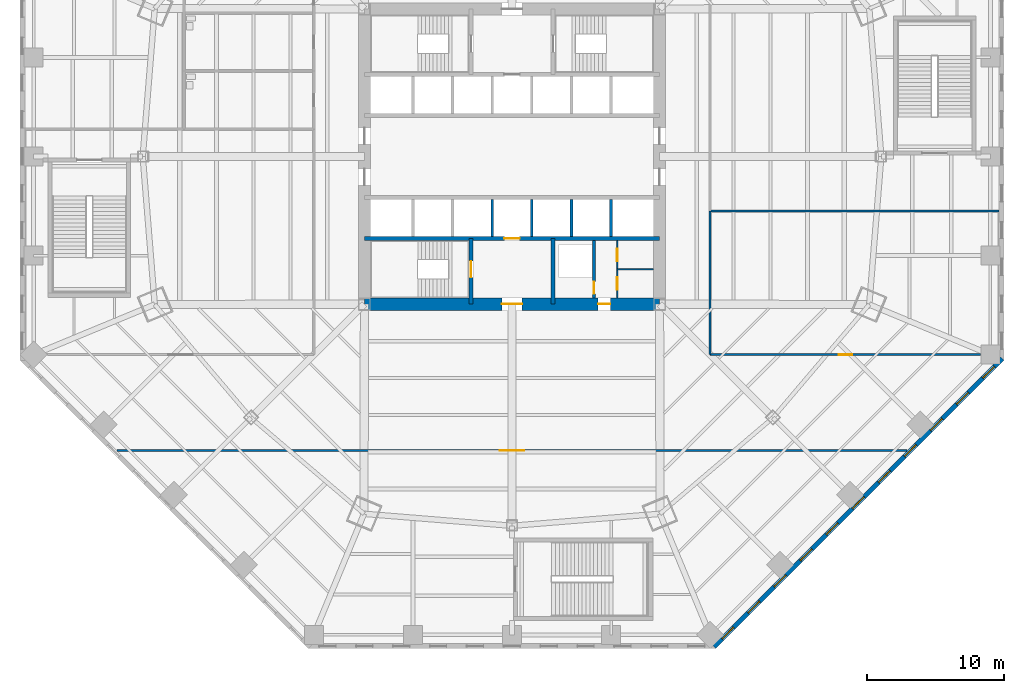
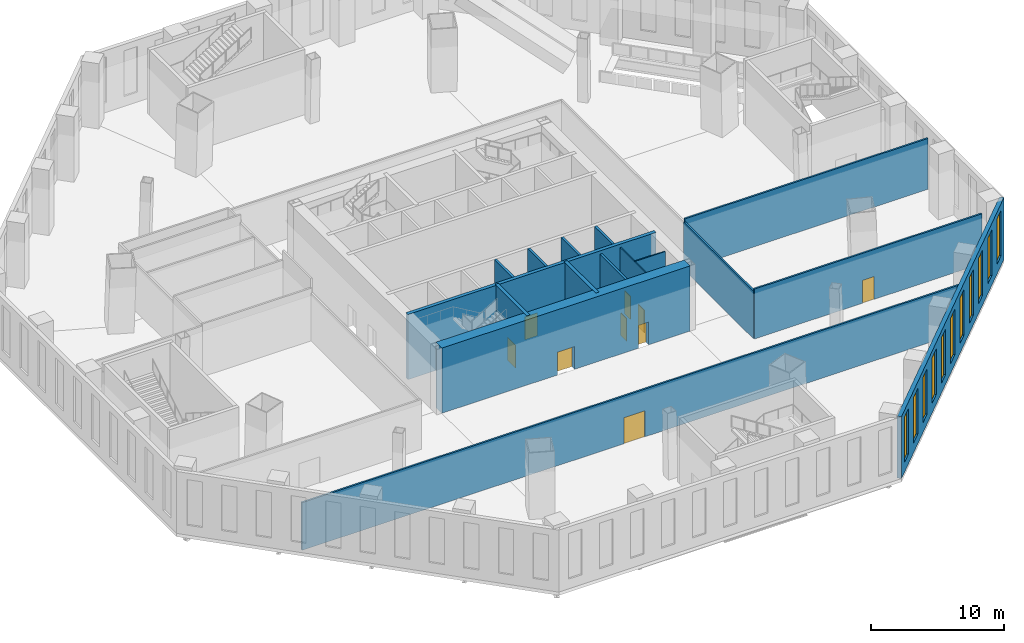
# One storey, part 9 of 20: 16 walls, 11 windows, 9 doors, 20 openings.
"""IFC4 building model written with IfcOpenShell, lengths in metres."""

import ifcopenshell
import ifcopenshell.guid

model = None  # the IFC model being written
_history = None  # IfcOwnerHistory: only IFC2X3 demands one
_inside = {}  # id of a spatial element -> (the spatial element, [elements in it])
_under = {}  # id of a project, library or spatial element -> (it, [spatial elements below it])
_declared = {}  # id of a project -> (the project, [libraries it declares])
_typed = {}  # id of a type object -> (the type object, [elements of that type])
_made_of = {}  # id of a material, layer set ... -> (it, [elements and type objects made of it])


def new_model(schema):
    """Start an empty IFC model of exactly this schema.

    Asked for "IFC4X3", IfcOpenShell would pick the latest addendum, in which some entities
    have other attributes; the version numbers below select the first issue.
    IFC2X3 requires an IfcOwnerHistory on every rooted entity: one is made here for all.
    """
    global model, _history
    if schema == "IFC4X3":
        model = ifcopenshell.file(schema_version=(4, 3, 0, 0))
    else:
        model = ifcopenshell.file(schema=schema)
    _inside.clear()
    _under.clear()
    _declared.clear()
    _typed.clear()
    _made_of.clear()
    _history = None
    if model.schema == "IFC2X3":
        org = make("IfcOrganization", Name="unknown")
        user = make(
            "IfcPersonAndOrganization",
            ThePerson=make("IfcPerson", FamilyName="unknown"),
            TheOrganization=org,
        )
        app = make(
            "IfcApplication",
            ApplicationDeveloper=org,
            Version="unknown",
            ApplicationFullName="unknown",
            ApplicationIdentifier="unknown",
        )
        _history = make(
            "IfcOwnerHistory",
            OwningUser=user,
            OwningApplication=app,
            ChangeAction="ADDED",
            CreationDate=0,
        )
    return model


def make(cls, **values):
    """One entity of the class cls with the attributes given. An attribute that is None is left unset."""
    return model.create_entity(
        cls, **{name: value for name, value in values.items() if value is not None}
    )


def rooted(cls, **values):
    """An entity with a GlobalId (a new one), such as an element, a storey or a relation."""
    return make(cls, GlobalId=ifcopenshell.guid.new(), OwnerHistory=_history, **values)


def si_unit(unit_type, name, prefix=None):
    """IfcSIUnit, for example si_unit("LENGTHUNIT", "METRE", prefix="MILLI")."""
    return make("IfcSIUnit", UnitType=unit_type, Prefix=prefix, Name=name)


def assignment(units):
    """IfcUnitAssignment: the units of a project."""
    return None if units is None else make("IfcUnitAssignment", Units=units)


def point(xyz):
    """IfcCartesianPoint."""
    return None if xyz is None else make("IfcCartesianPoint", Coordinates=xyz)


def direction(xyz):
    """IfcDirection."""
    return None if xyz is None else make("IfcDirection", DirectionRatios=xyz)


def frame(location, z_axis=None, x_axis=None):
    """IfcAxis2Placement3D, a coordinate frame: its origin and axes. An axis left out is left unset."""
    return make(
        "IfcAxis2Placement3D",
        Location=point(location),
        Axis=direction(z_axis),
        RefDirection=direction(x_axis),
    )


def frame_2d(location, x_axis=None):
    """IfcAxis2Placement2D, a coordinate frame in the plane: its origin and x axis."""
    return make(
        "IfcAxis2Placement2D", Location=point(location), RefDirection=direction(x_axis)
    )


def origin():
    """The frame at (0, 0, 0) with its axes left unset."""
    return frame((0.0, 0.0, 0.0))


def place(relative_to, where):
    """IfcLocalPlacement: puts the frame where relative to a parent placement (None: the world)."""
    return make(
        "IfcLocalPlacement", PlacementRelTo=relative_to, RelativePlacement=where
    )


def context(
    kind, dimensions, precision=None, world=None, true_north=None, identifier=None
):
    """IfcGeometricRepresentationContext, for example the 3D "Model" context."""
    return make(
        "IfcGeometricRepresentationContext",
        ContextIdentifier=identifier,
        ContextType=kind,
        CoordinateSpaceDimension=dimensions,
        Precision=precision,
        WorldCoordinateSystem=world,
        TrueNorth=true_north,
    )


def subcontext(parent, identifier, kind, view, scale=None):
    """IfcGeometricRepresentationSubContext, for example "Body" below "Model"."""
    return make(
        "IfcGeometricRepresentationSubContext",
        ContextIdentifier=identifier,
        ContextType=kind,
        ParentContext=parent,
        TargetScale=scale,
        TargetView=view,
    )


def project(units=None, contexts=None):
    """IfcProject with its units and contexts."""
    return rooted(
        "IfcProject",
        Name="project",
        RepresentationContexts=contexts,
        UnitsInContext=assignment(units),
    )


def spatial(cls, under=None, at=None, **own):
    """A site, building, storey or space (cls), placed at a placement, below another one or the project."""
    s = rooted(cls, ObjectPlacement=at, **own)
    if under is not None:
        _under.setdefault(under.id(), (under, []))[1].append(s)
    return s


def profile(cls, at=None, kind="AREA", **sizes):
    """A parametric profile (cls). Its sizes go by their IFC names, for example OverallWidth=200.0."""
    return make(cls, ProfileType=kind, Position=at, **sizes)


def rectangle(**sizes):
    """IfcRectangleProfileDef."""
    return profile("IfcRectangleProfileDef", **sizes)


def extrude(swept, where, along, depth):
    """IfcExtrudedAreaSolid: the profile swept, set in the frame where, extruded along a direction by depth."""
    return make(
        "IfcExtrudedAreaSolid",
        SweptArea=swept,
        Position=where,
        ExtrudedDirection=direction(along),
        Depth=depth,
    )


def shape(context_of_items, identifier, shape_type, items):
    """IfcShapeRepresentation: the items that make up one representation, for example the "Body"."""
    return make(
        "IfcShapeRepresentation",
        ContextOfItems=context_of_items,
        RepresentationIdentifier=identifier,
        RepresentationType=shape_type,
        Items=items,
    )


def material(Name=None, Category=None):
    """IfcMaterial."""
    return make("IfcMaterial", Name=Name, Category=Category)


def layer(
    of_material, thickness, ventilated=None, Name=None, Category=None, Priority=None
):
    """IfcMaterialLayer: one layer of a wall or slab, of a material (None: an air gap)."""
    return make(
        "IfcMaterialLayer",
        Material=of_material,
        LayerThickness=thickness,
        IsVentilated=ventilated,
        Name=Name,
        Category=Category,
        Priority=Priority,
    )


def layer_set(layers, Name=None):
    """IfcMaterialLayerSet."""
    return make("IfcMaterialLayerSet", MaterialLayers=layers, LayerSetName=Name)


def made_of(thing, what):
    """Note that an element or type object is made of a material, layer set ...; save() writes the relation."""
    if what is not None:
        _made_of.setdefault(what.id(), (what, []))[1].append(thing)
    return thing


def type_object(cls, material=None, **own):
    """A type object (cls), such as IfcWallType, which elements share."""
    return made_of(rooted(cls, **own), material)


def element(
    cls,
    number,
    at=None,
    inside=None,
    cuts=None,
    type_object=None,
    material=None,
    context=None,
    identifier="Body",
    shape_type=None,
    held_by="IfcProductDefinitionShape",
    body=None,
    shapes=None,
    **own,
):
    """One element of the class cls, such as IfcWall. Its Tag is "e" and its number.

    at: its placement. inside: the storey or other place that contains it. cuts: it is an
    opening in that element (IfcRelVoidsElement). A single representation is given by context,
    identifier, shape_type and body (its items); several are given by shapes. held_by: the class
    of the entity that holds the representations. save() writes the other relations.
    """
    e = rooted(cls, Tag="e%d" % number, ObjectPlacement=at, **own)
    if body is not None:
        shapes = [shape(context, identifier, shape_type, body)]
    if shapes is not None:
        e.Representation = make(held_by, Representations=shapes)
    if inside is not None:
        _inside.setdefault(inside.id(), (inside, []))[1].append(e)
    if cuts is not None:
        rooted(
            "IfcRelVoidsElement", RelatingBuildingElement=cuts, RelatedOpeningElement=e
        )
    if type_object is not None:
        _typed.setdefault(type_object.id(), (type_object, []))[1].append(e)
    return made_of(e, material)


def fill(opening, filler):
    """IfcRelFillsElement: the door or window that sits in an opening."""
    return rooted(
        "IfcRelFillsElement",
        RelatingOpeningElement=opening,
        RelatedBuildingElement=filler,
    )


def aggregate(whole, parts):
    """IfcRelAggregates: a whole, such as a stair, and the parts it consists of."""
    return rooted("IfcRelAggregates", RelatingObject=whole, RelatedObjects=parts)


def save(model, path):
    """Write the relations noted so far, then the file.

    IfcRelAggregates (storeys below a building ...), IfcRelContainedInSpatialStructure (elements
    in a storey), IfcRelDefinesByType, IfcRelAssociatesMaterial and IfcRelDeclares: one each for
    every whole, place, type object, material and project.
    """
    for whole, parts in _under.values():
        aggregate(whole, parts)
    for where, things in _inside.values():
        rooted(
            "IfcRelContainedInSpatialStructure",
            RelatedElements=things,
            RelatingStructure=where,
        )
    for kind, things in _typed.values():
        rooted("IfcRelDefinesByType", RelatedObjects=things, RelatingType=kind)
    for what, things in _made_of.values():
        rooted("IfcRelAssociatesMaterial", RelatedObjects=things, RelatingMaterial=what)
    for by, libraries in _declared.values():
        rooted("IfcRelDeclares", RelatingContext=by, RelatedDefinitions=libraries)
    model.write(path)


model = new_model("IFC4")

# Units and contexts
model_context = context("Model", 3, precision=1e-05, world=origin(), true_north=direction((0.0, 1.0)))
body_context = subcontext(model_context, "Body", "Model", "MODEL_VIEW")
ifc_project = project(units=[si_unit("LENGTHUNIT", "METRE"), si_unit("AREAUNIT", "SQUARE_METRE"), si_unit("VOLUMEUNIT", "CUBIC_METRE"), si_unit("PLANEANGLEUNIT", "RADIAN"), si_unit("MASSUNIT", "GRAM", prefix="KILO")], contexts=[model_context])

# Site, building, storey
site_placement = place(None, origin())
site = spatial("IfcSite", under=ifc_project, at=site_placement, CompositionType="ELEMENT")
building_placement = place(site_placement, origin())
building = spatial("IfcBuilding", under=site, at=building_placement, Name="Mashrafa Tower", CompositionType="ELEMENT")
storey_placement = place(building_placement, frame((0.0, 0.0, 7.199951171875)))
storey = spatial("IfcBuildingStorey", under=building, at=storey_placement, Name="L01", CompositionType="ELEMENT", Elevation=7.199951171875)

# Wall, opening, door
ifc_material_1 = material(Name="Concrete masonry unit", Category="masonry")
ifc_layer_1 = layer(ifc_material_1, 0.199951171875)
ifc_layer_set_1 = layer_set([ifc_layer_1], Name="Blockwork wall 200 2 hr")
wall_type_1 = type_object("IfcWallType", Name="Blockwork wall 200 2 hr", PredefinedType="PARTITIONING", material=ifc_layer_set_1)
wall_1_placement = place(storey_placement, frame((6.0, -10.35009765625, 0.0), z_axis=(0.0, 0.0, 1.0), x_axis=(0.0, 1.0, 0.0)))
wall_1 = element("IfcWall", 1, at=wall_1_placement, inside=storey, type_object=wall_type_1, Name="Riser enclosure wall L01", PredefinedType="PARTITIONING", context=body_context, shape_type="SweptSolid", body=[
    extrude(rectangle(XDim=4.2001953125, YDim=0.199951171875, at=frame_2d((2.10009765625, 0.0))), origin(), (0.0, 0.0, 1.0), 5.699951171875),
])
opening_1_placement = place(wall_1_placement, frame((0.300048828125, 0.0, 0.0)))
opening_1 = element("IfcOpeningElement", 2, at=opening_1_placement, cuts=wall_1, Name="Opening 01.021", PredefinedType="OPENING", context=body_context, shape_type="SweptSolid", body=[
    extrude(rectangle(XDim=0.89990234375, YDim=2.10009765625, at=frame_2d((0.449951171875, 1.050048828125))), frame((0.0, 0.10986328125, 0.0), z_axis=(0.0, -1.0, 0.0), x_axis=(1.0, 0.0, 0.0)), (0.0, 0.0, 1.0), 0.219970703125),
])
ifc_material_2 = material(Name="Steel door", Category="steel")
door_type_1 = type_object("IfcDoorType", Name="Service door 900 x 2100 90 min", OperationType="USERDEFINED", PredefinedType="DOOR", material=ifc_material_2)
door_1_placement = place(opening_1_placement, origin())
door_1 = element("IfcDoor", 3, at=door_1_placement, inside=storey, type_object=door_type_1, Name="Riser door L01", OperationType="SINGLE_SWING_LEFT", OverallHeight=2.10009765625, OverallWidth=0.89990234375, PredefinedType="DOOR", context=body_context, shape_type="SweptSolid", body=[
    extrude(rectangle(XDim=0.89990234375, YDim=2.10009765625, at=frame_2d((0.449951171875, 1.050048828125))), frame((0.0, 0.02490234375, 0.0), z_axis=(0.0, -1.0, 0.0), x_axis=(1.0, 0.0, 0.0)), (0.0, 0.0, 1.0), 0.050048828125),
])
fill(opening_1, door_1)

ifc_material_3 = material(Name="Concrete C60/75", Category="concrete")
ifc_layer_2 = layer(ifc_material_3, 0.300048828125)
ifc_layer_set_2 = layer_set([ifc_layer_2], Name="Core wall 300 C60/75")
wall_type_2 = type_object("IfcWallType", Name="Core wall 300 C60/75", PredefinedType="SOLIDWALL", material=ifc_layer_set_2)
wall_2_placement = place(storey_placement, frame((-10.800048828125, -6.0, 0.0), z_axis=(0.0, 0.0, 1.0), x_axis=(1.0, 0.0, 0.0)))
wall_2 = element("IfcWall", 4, at=wall_2_placement, inside=storey, type_object=wall_type_2, Name="Core wall CB-S L01", PredefinedType="SOLIDWALL", context=body_context, shape_type="SweptSolid", body=[
    extrude(rectangle(XDim=21.60009765625, YDim=0.300048828125, at=frame_2d((10.800048828125, 0.0))), origin(), (0.0, 0.0, 1.0), 6.0),
])
opening_2_placement = place(wall_2_placement, frame((10.25, 0.0, 0.0)))
opening_2 = element("IfcOpeningElement", 5, at=opening_2_placement, cuts=wall_2, Name="Opening 01.F2", PredefinedType="OPENING", context=body_context, shape_type="SweptSolid", body=[
    extrude(rectangle(XDim=1.10009765625, YDim=2.10009765625, at=frame_2d((0.550048828125, 1.050048828125))), frame((0.0, 0.159912109375, 0.0), z_axis=(0.0, -1.0, 0.0), x_axis=(1.0, 0.0, 0.0)), (0.0, 0.0, 1.0), 0.320068359375),
])
ifc_material_4 = material(Name="Steel door", Category="steel")
door_type_2 = type_object("IfcDoorType", Name="Lift landing door 1100 x 2100 90 min", OperationType="DOUBLE_DOOR_SLIDING", PredefinedType="DOOR", material=ifc_material_4)
door_2_placement = place(opening_2_placement, origin())
door_2 = element("IfcDoor", 6, at=door_2_placement, inside=storey, type_object=door_type_2, Name="Lift landing door F2 L01", OperationType="DOUBLE_DOOR_SLIDING", OverallHeight=2.10009765625, OverallWidth=1.10009765625, PredefinedType="DOOR", context=body_context, shape_type="SweptSolid", body=[
    extrude(rectangle(XDim=1.10009765625, YDim=2.10009765625, at=frame_2d((0.550048828125, 1.050048828125))), frame((0.0, 0.02490234375, 0.0), z_axis=(0.0, -1.0, 0.0), x_axis=(1.0, 0.0, 0.0)), (0.0, 0.0, 1.0), 0.050048828125),
])
fill(opening_2, door_2)

wall_3_placement = place(storey_placement, frame((-3.0, -6.0, 0.0), z_axis=(0.0, 0.0, 1.0), x_axis=(0.0, -1.0, 0.0)))
wall_3 = element("IfcWall", 7, at=wall_3_placement, inside=storey, type_object=wall_type_2, Name="Core wall CX-SW L01", PredefinedType="SOLIDWALL", context=body_context, shape_type="SweptSolid", body=[
    extrude(rectangle(XDim=4.800048828125, YDim=0.300048828125, at=frame_2d((2.39990234375, 0.0))), origin(), (0.0, 0.0, 1.0), 6.0),
])
opening_3_placement = place(wall_3_placement, frame((1.64990234375, 0.0, 0.0)))
opening_3 = element("IfcOpeningElement", 8, at=opening_3_placement, cuts=wall_3, Name="Opening 01.019", PredefinedType="OPENING", context=body_context, shape_type="SweptSolid", body=[
    extrude(rectangle(XDim=1.199951171875, YDim=2.10009765625, at=frame_2d((0.60009765625, 1.050048828125))), frame((0.0, 0.159912109375, 0.0), z_axis=(0.0, -1.0, 0.0), x_axis=(1.0, 0.0, 0.0)), (0.0, 0.0, 1.0), 0.320068359375),
])
ifc_material_5 = material(Name="Steel door", Category="steel")
door_type_3 = type_object("IfcDoorType", Name="Stair door 1200 x 2100 90 min", OperationType="USERDEFINED", PredefinedType="DOOR", material=ifc_material_5)
door_3_placement = place(opening_3_placement, frame((1.199951171875, 0.0, 0.0), z_axis=(0.0, 0.0, 1.0), x_axis=(-1.0, 0.0, 0.0)))
door_3 = element("IfcDoor", 9, at=door_3_placement, inside=storey, type_object=door_type_3, Name="Stair S3 door L01", OperationType="SINGLE_SWING_RIGHT", OverallHeight=2.10009765625, OverallWidth=1.199951171875, PredefinedType="DOOR", context=body_context, shape_type="SweptSolid", body=[
    extrude(rectangle(XDim=1.199951171875, YDim=2.10009765625, at=frame_2d((0.60009765625, 1.050048828125))), frame((0.0, 0.02490234375, 0.0), z_axis=(0.0, -1.0, 0.0), x_axis=(1.0, 0.0, 0.0)), (0.0, 0.0, 1.0), 0.050048828125),
])
fill(opening_3, door_3)

# Wall
wall_4_placement = place(storey_placement, frame((3.0, -6.0, 0.0), z_axis=(0.0, 0.0, 1.0), x_axis=(0.0, -1.0, 0.0)))
element("IfcWall", 10, at=wall_4_placement, inside=storey, type_object=wall_type_2, Name="Core wall CX-SE L01", PredefinedType="SOLIDWALL", context=body_context, shape_type="SweptSolid", body=[
    extrude(rectangle(XDim=4.800048828125, YDim=0.300048828125, at=frame_2d((2.39990234375, 0.0))), origin(), (0.0, 0.0, 1.0), 6.0),
])

# Wall, openings, doors
ifc_material_6 = material(Name="Concrete C60/75", Category="concrete")
ifc_layer_3 = layer(ifc_material_6, 0.89990234375)
ifc_layer_set_3 = layer_set([ifc_layer_3], Name="Core wall 900 C60/75")
wall_type_3 = type_object("IfcWallType", Name="Core wall 900 C60/75", PredefinedType="SOLIDWALL", material=ifc_layer_set_3)
wall_5_placement = place(storey_placement, frame((-10.800048828125, -10.800048828125, 0.0), z_axis=(0.0, 0.0, 1.0), x_axis=(1.0, 0.0, 0.0)))
wall_5 = element("IfcWall", 11, at=wall_5_placement, inside=storey, type_object=wall_type_3, Name="Core wall CW-S L01", PredefinedType="SOLIDWALL", context=body_context, shape_type="SweptSolid", body=[
    extrude(rectangle(XDim=21.60009765625, YDim=0.89990234375, at=frame_2d((10.800048828125, 0.0))), origin(), (0.0, 0.0, 1.0), 6.0),
])
opening_4_placement = place(wall_5_placement, frame((10.050048828125, 0.0, 0.0)))
opening_4 = element("IfcOpeningElement", 12, at=opening_4_placement, cuts=wall_5, Name="Opening 01.016", PredefinedType="OPENING", context=body_context, shape_type="SweptSolid", body=[
    extrude(rectangle(XDim=1.5, YDim=2.10009765625, at=frame_2d((0.75, 1.050048828125))), frame((0.0, 0.4599609375, 0.0), z_axis=(0.0, -1.0, 0.0), x_axis=(1.0, 0.0, 0.0)), (0.0, 0.0, 1.0), 0.919921875),
])
opening_5_placement = place(wall_5_placement, frame((17.10009765625, 0.0, 0.0)))
opening_5 = element("IfcOpeningElement", 13, at=opening_5_placement, cuts=wall_5, Name="Opening 01.020", PredefinedType="OPENING", context=body_context, shape_type="SweptSolid", body=[
    extrude(rectangle(XDim=0.89990234375, YDim=2.10009765625, at=frame_2d((0.449951171875, 1.050048828125))), frame((0.0, 0.4599609375, 0.0), z_axis=(0.0, -1.0, 0.0), x_axis=(1.0, 0.0, 0.0)), (0.0, 0.0, 1.0), 0.919921875),
])
ifc_material_7 = material(Name="Steel door", Category="steel")
door_type_4 = type_object("IfcDoorType", Name="Lobby door pair 1500 x 2100 90 min", OperationType="DOUBLE_DOOR_SINGLE_SWING", PredefinedType="DOOR", material=ifc_material_7)
door_4_placement = place(opening_4_placement, origin())
door_4 = element("IfcDoor", 14, at=door_4_placement, inside=storey, type_object=door_type_4, Name="Fire-fighting lobby F2 door L01", OperationType="DOUBLE_DOOR_SINGLE_SWING", OverallHeight=2.10009765625, OverallWidth=1.5, PredefinedType="DOOR", context=body_context, shape_type="SweptSolid", body=[
    extrude(rectangle(XDim=1.5, YDim=2.10009765625, at=frame_2d((0.75, 1.050048828125))), frame((0.0, 0.02490234375, 0.0), z_axis=(0.0, -1.0, 0.0), x_axis=(1.0, 0.0, 0.0)), (0.0, 0.0, 1.0), 0.050048828125),
])
fill(opening_4, door_4)
door_5_placement = place(opening_5_placement, frame((0.89990234375, 0.0, 0.0), z_axis=(0.0, 0.0, 1.0), x_axis=(-1.0, 0.0, 0.0)))
door_5 = element("IfcDoor", 15, at=door_5_placement, inside=storey, type_object=door_type_1, Name="Services Lobby L01 door", OperationType="SINGLE_SWING_LEFT", OverallHeight=2.10009765625, OverallWidth=0.89990234375, PredefinedType="DOOR", context=body_context, shape_type="SweptSolid", body=[
    extrude(rectangle(XDim=0.89990234375, YDim=2.10009765625, at=frame_2d((0.449951171875, 1.050048828125))), frame((0.0, 0.02490234375, 0.0), z_axis=(0.0, -1.0, 0.0), x_axis=(1.0, 0.0, 0.0)), (0.0, 0.0, 1.0), 0.050048828125),
])
fill(opening_5, door_5)

# Wall
ifc_material_8 = material(Name="Gypsum board on steel studs", Category="steel")
ifc_layer_4 = layer(ifc_material_8, 0.14990234375)
ifc_layer_set_4 = layer_set([ifc_layer_4], Name="Corridor partition 150 1 hr")
wall_type_4 = type_object("IfcWallType", Name="Corridor partition 150 1 hr", PredefinedType="PARTITIONING", material=ifc_layer_set_4)
wall_6_placement = place(storey_placement, frame((14.5, -4.0, 0.0), z_axis=(0.0, 0.0, 1.0), x_axis=(0.0, -1.0, 0.0)))
element("IfcWall", 16, at=wall_6_placement, inside=storey, type_object=wall_type_4, Name="Corridor wall L01-017", PredefinedType="PARTITIONING", context=body_context, shape_type="SweptSolid", body=[
    extrude(rectangle(XDim=10.5, YDim=0.14990234375, at=frame_2d((5.25, 0.0))), origin(), (0.0, 0.0, 1.0), 4.39013671875),
])

# Wall, opening, door
wall_7_placement = place(storey_placement, frame((14.5, -14.5, 0.0), z_axis=(0.0, 0.0, 1.0), x_axis=(1.0, 0.0, 0.0)))
wall_7 = element("IfcWall", 17, at=wall_7_placement, inside=storey, type_object=wall_type_4, Name="Corridor wall L01-018", PredefinedType="PARTITIONING", context=body_context, shape_type="SweptSolid", body=[
    extrude(rectangle(XDim=19.781005859375, YDim=0.14990234375, at=frame_2d((9.890625, 0.0))), origin(), (0.0, 0.0, 1.0), 4.590087890625),
])
opening_6_placement = place(wall_7_placement, frame((9.390380859375, 0.0, 0.0)))
opening_6 = element("IfcOpeningElement", 18, at=opening_6_placement, cuts=wall_7, Name="Opening 01.006", PredefinedType="OPENING", context=body_context, shape_type="SweptSolid", body=[
    extrude(rectangle(XDim=1.0, YDim=2.10009765625, at=frame_2d((0.5, 1.050048828125))), frame((0.0, 0.0849609375, 0.0), z_axis=(0.0, -1.0, 0.0), x_axis=(1.0, 0.0, 0.0)), (0.0, 0.0, 1.0), 0.169921875),
])
ifc_material_9 = material(Name="Timber door", Category="wood")
door_type_5 = type_object("IfcDoorType", Name="Door 1000 x 2100", OperationType="USERDEFINED", PredefinedType="DOOR", material=ifc_material_9)
door_6_placement = place(opening_6_placement, frame((1.0, 0.0, 0.0), z_axis=(0.0, 0.0, 1.0), x_axis=(-1.0, 0.0, 0.0)))
door_6 = element("IfcDoor", 19, at=door_6_placement, inside=storey, type_object=door_type_5, Name="Exhibition Information Desk L01 door", OperationType="SINGLE_SWING_LEFT", OverallHeight=2.10009765625, OverallWidth=1.0, PredefinedType="DOOR", context=body_context, shape_type="SweptSolid", body=[
    extrude(rectangle(XDim=1.0, YDim=2.10009765625, at=frame_2d((0.5, 1.050048828125))), frame((0.0, 0.02490234375, 0.0), z_axis=(0.0, -1.0, 0.0), x_axis=(1.0, 0.0, 0.0)), (0.0, 0.0, 1.0), 0.050048828125),
])
fill(opening_6, door_6)

wall_8_placement = place(storey_placement, frame((-28.916748046875, -21.5, 0.0), z_axis=(0.0, 0.0, 1.0), x_axis=(1.0, 0.0, 0.0)))
wall_8 = element("IfcWall", 20, at=wall_8_placement, inside=storey, type_object=wall_type_4, Name="Corridor wall L01-022", PredefinedType="PARTITIONING", context=body_context, shape_type="SweptSolid", body=[
    extrude(rectangle(XDim=57.83349609375, YDim=0.14990234375, at=frame_2d((28.916748046875, 0.0))), origin(), (0.0, 0.0, 1.0), 4.39013671875),
])
opening_7_placement = place(wall_8_placement, frame((28.0166015625, 0.0, 0.0)))
opening_7 = element("IfcOpeningElement", 21, at=opening_7_placement, cuts=wall_8, Name="Opening 01.010", PredefinedType="OPENING", context=body_context, shape_type="SweptSolid", body=[
    extrude(rectangle(XDim=1.800048828125, YDim=2.39990234375, at=frame_2d((0.89990234375, 1.199951171875))), frame((0.0, 0.0849609375, 0.0), z_axis=(0.0, -1.0, 0.0), x_axis=(1.0, 0.0, 0.0)), (0.0, 0.0, 1.0), 0.169921875),
])
ifc_material_10 = material(Name="Timber door", Category="wood")
door_type_6 = type_object("IfcDoorType", Name="Door pair 1800 x 2400", OperationType="DOUBLE_DOOR_SINGLE_SWING", PredefinedType="DOOR", material=ifc_material_10)
door_7_placement = place(opening_7_placement, frame((1.800048828125, 0.0, 0.0), z_axis=(0.0, 0.0, 1.0), x_axis=(-1.0, 0.0, 0.0)))
door_7 = element("IfcDoor", 22, at=door_7_placement, inside=storey, type_object=door_type_6, Name="Exhibition Lecture Room L01 door", OperationType="DOUBLE_DOOR_SINGLE_SWING", OverallHeight=2.39990234375, OverallWidth=1.800048828125, PredefinedType="DOOR", context=body_context, shape_type="SweptSolid", body=[
    extrude(rectangle(XDim=1.800048828125, YDim=2.39990234375, at=frame_2d((0.89990234375, 1.199951171875))), frame((0.0, 0.02490234375, 0.0), z_axis=(0.0, -1.0, 0.0), x_axis=(1.0, 0.0, 0.0)), (0.0, 0.0, 1.0), 0.050048828125),
])
fill(opening_7, door_7)

# Wall, openings, windows
ifc_material_11 = material(Name="Riyadh limestone cladding on blockwork", Category="masonry")
ifc_layer_5 = layer(ifc_material_11, 0.35009765625)
ifc_layer_set_5 = layer_set([ifc_layer_5], Name="Limestone-clad external wall 350")
wall_type_5 = type_object("IfcWallType", Name="Limestone-clad external wall 350", PredefinedType="SOLIDWALL", material=ifc_layer_set_5)
wall_9_placement = place(storey_placement, frame((14.787841796875, -35.876220703125, 0.0), z_axis=(0.0, 0.0, 1.0), x_axis=(0.707106781187, 0.707106781187, 0.0)))
wall_9 = element("IfcWall", 23, at=wall_9_placement, inside=storey, type_object=wall_type_5, Name="Limestone-clad external wall L01 south-east", PredefinedType="SOLIDWALL", context=body_context, shape_type="SweptSolid", body=[
    extrude(rectangle(XDim=29.823486328125, YDim=0.35009765625, at=frame_2d((14.91162109375, 0.0))), origin(), (0.0, 0.0, 1.0), 5.699951171875),
])
opening_8_placement = place(wall_9_placement, frame((0.821533203125, 0.0, 0.89990234375)))
opening_8 = element("IfcOpeningElement", 24, at=opening_8_placement, cuts=wall_9, Name="Opening W1", PredefinedType="OPENING", context=body_context, shape_type="SweptSolid", body=[
    extrude(rectangle(XDim=1.199951171875, YDim=4.199951171875, at=frame_2d((0.60009765625, 2.10009765625))), frame((0.0, 0.18505859375, 0.0), z_axis=(0.0, -1.0, 0.0), x_axis=(1.0, 0.0, 0.0)), (0.0, 0.0, 1.0), 0.3701171875),
])
opening_9_placement = place(wall_9_placement, frame((3.51953125, 0.0, 0.89990234375)))
opening_9 = element("IfcOpeningElement", 25, at=opening_9_placement, cuts=wall_9, Name="Opening W1", PredefinedType="OPENING", context=body_context, shape_type="SweptSolid", body=[
    extrude(rectangle(XDim=1.199951171875, YDim=4.199951171875, at=frame_2d((0.60009765625, 2.10009765625))), frame((0.0, 0.18505859375, 0.0), z_axis=(0.0, -1.0, 0.0), x_axis=(1.0, 0.0, 0.0)), (0.0, 0.0, 1.0), 0.3701171875),
])
opening_10_placement = place(wall_9_placement, frame((6.217529296875, 0.0, 0.89990234375)))
opening_10 = element("IfcOpeningElement", 26, at=opening_10_placement, cuts=wall_9, Name="Opening W1", PredefinedType="OPENING", context=body_context, shape_type="SweptSolid", body=[
    extrude(rectangle(XDim=1.199951171875, YDim=4.199951171875, at=frame_2d((0.60009765625, 2.10009765625))), frame((0.0, 0.18505859375, 0.0), z_axis=(0.0, -1.0, 0.0), x_axis=(1.0, 0.0, 0.0)), (0.0, 0.0, 1.0), 0.3701171875),
])
opening_11_placement = place(wall_9_placement, frame((8.91552734375, 0.0, 0.89990234375)))
opening_11 = element("IfcOpeningElement", 27, at=opening_11_placement, cuts=wall_9, Name="Opening W1", PredefinedType="OPENING", context=body_context, shape_type="SweptSolid", body=[
    extrude(rectangle(XDim=1.199951171875, YDim=4.199951171875, at=frame_2d((0.60009765625, 2.10009765625))), frame((0.0, 0.18505859375, 0.0), z_axis=(0.0, -1.0, 0.0), x_axis=(1.0, 0.0, 0.0)), (0.0, 0.0, 1.0), 0.3701171875),
])
opening_12_placement = place(wall_9_placement, frame((11.61376953125, 0.0, 0.89990234375)))
opening_12 = element("IfcOpeningElement", 28, at=opening_12_placement, cuts=wall_9, Name="Opening W1", PredefinedType="OPENING", context=body_context, shape_type="SweptSolid", body=[
    extrude(rectangle(XDim=1.199951171875, YDim=4.199951171875, at=frame_2d((0.60009765625, 2.10009765625))), frame((0.0, 0.18505859375, 0.0), z_axis=(0.0, -1.0, 0.0), x_axis=(1.0, 0.0, 0.0)), (0.0, 0.0, 1.0), 0.3701171875),
])
opening_13_placement = place(wall_9_placement, frame((14.311767578125, 0.0, 0.89990234375)))
opening_13 = element("IfcOpeningElement", 29, at=opening_13_placement, cuts=wall_9, Name="Opening W1", PredefinedType="OPENING", context=body_context, shape_type="SweptSolid", body=[
    extrude(rectangle(XDim=1.199951171875, YDim=4.199951171875, at=frame_2d((0.60009765625, 2.10009765625))), frame((0.0, 0.18505859375, 0.0), z_axis=(0.0, -1.0, 0.0), x_axis=(1.0, 0.0, 0.0)), (0.0, 0.0, 1.0), 0.3701171875),
])
opening_14_placement = place(wall_9_placement, frame((17.009765625, 0.0, 0.89990234375)))
opening_14 = element("IfcOpeningElement", 30, at=opening_14_placement, cuts=wall_9, Name="Opening W1", PredefinedType="OPENING", context=body_context, shape_type="SweptSolid", body=[
    extrude(rectangle(XDim=1.199951171875, YDim=4.199951171875, at=frame_2d((0.60009765625, 2.10009765625))), frame((0.0, 0.18505859375, 0.0), z_axis=(0.0, -1.0, 0.0), x_axis=(1.0, 0.0, 0.0)), (0.0, 0.0, 1.0), 0.3701171875),
])
opening_15_placement = place(wall_9_placement, frame((19.707763671875, 0.0, 0.89990234375)))
opening_15 = element("IfcOpeningElement", 31, at=opening_15_placement, cuts=wall_9, Name="Opening W1", PredefinedType="OPENING", context=body_context, shape_type="SweptSolid", body=[
    extrude(rectangle(XDim=1.199951171875, YDim=4.199951171875, at=frame_2d((0.60009765625, 2.10009765625))), frame((0.0, 0.18505859375, 0.0), z_axis=(0.0, -1.0, 0.0), x_axis=(1.0, 0.0, 0.0)), (0.0, 0.0, 1.0), 0.3701171875),
])
opening_16_placement = place(wall_9_placement, frame((22.40576171875, 0.0, 0.89990234375)))
opening_16 = element("IfcOpeningElement", 32, at=opening_16_placement, cuts=wall_9, Name="Opening W1", PredefinedType="OPENING", context=body_context, shape_type="SweptSolid", body=[
    extrude(rectangle(XDim=1.199951171875, YDim=4.199951171875, at=frame_2d((0.60009765625, 2.10009765625))), frame((0.0, 0.18505859375, 0.0), z_axis=(0.0, -1.0, 0.0), x_axis=(1.0, 0.0, 0.0)), (0.0, 0.0, 1.0), 0.3701171875),
])
opening_17_placement = place(wall_9_placement, frame((25.103759765625, 0.0, 0.89990234375)))
opening_17 = element("IfcOpeningElement", 33, at=opening_17_placement, cuts=wall_9, Name="Opening W1", PredefinedType="OPENING", context=body_context, shape_type="SweptSolid", body=[
    extrude(rectangle(XDim=1.199951171875, YDim=4.199951171875, at=frame_2d((0.60009765625, 2.10009765625))), frame((0.0, 0.18505859375, 0.0), z_axis=(0.0, -1.0, 0.0), x_axis=(1.0, 0.0, 0.0)), (0.0, 0.0, 1.0), 0.3701171875),
])
opening_18_placement = place(wall_9_placement, frame((27.8017578125, 0.0, 0.89990234375)))
opening_18 = element("IfcOpeningElement", 34, at=opening_18_placement, cuts=wall_9, Name="Opening W1", PredefinedType="OPENING", context=body_context, shape_type="SweptSolid", body=[
    extrude(rectangle(XDim=1.199951171875, YDim=4.199951171875, at=frame_2d((0.60009765625, 2.10009765625))), frame((0.0, 0.18505859375, 0.0), z_axis=(0.0, -1.0, 0.0), x_axis=(1.0, 0.0, 0.0)), (0.0, 0.0, 1.0), 0.3701171875),
])
ifc_material_12 = material(Name="Bronze-framed insulated glazing", Category="glass")
window_type = type_object("IfcWindowType", Name="Tall punched window 1200 x 4200", PartitioningType="DOUBLE_PANEL_HORIZONTAL", PredefinedType="WINDOW", material=ifc_material_12)
window_1_placement = place(opening_8_placement, origin())
window_1 = element("IfcWindow", 35, at=window_1_placement, inside=storey, type_object=window_type, Name="Window W1 L01 south-east bay 1", OverallHeight=4.199951171875, OverallWidth=1.199951171875, PartitioningType="SINGLE_PANEL", PredefinedType="WINDOW", context=body_context, shape_type="SweptSolid", body=[
    extrude(rectangle(XDim=1.199951171875, YDim=4.199951171875, at=frame_2d((0.60009765625, 2.10009765625))), frame((0.0, 0.030029296875, 0.0), z_axis=(0.0, -1.0, 0.0), x_axis=(1.0, 0.0, 0.0)), (0.0, 0.0, 1.0), 0.06005859375),
])
fill(opening_8, window_1)
window_2_placement = place(opening_9_placement, origin())
window_2 = element("IfcWindow", 36, at=window_2_placement, inside=storey, type_object=window_type, Name="Window W1 L01 south-east bay 2", OverallHeight=4.199951171875, OverallWidth=1.199951171875, PartitioningType="SINGLE_PANEL", PredefinedType="WINDOW", context=body_context, shape_type="SweptSolid", body=[
    extrude(rectangle(XDim=1.199951171875, YDim=4.199951171875, at=frame_2d((0.60009765625, 2.10009765625))), frame((0.0, 0.030029296875, 0.0), z_axis=(0.0, -1.0, 0.0), x_axis=(1.0, 0.0, 0.0)), (0.0, 0.0, 1.0), 0.06005859375),
])
fill(opening_9, window_2)
window_3_placement = place(opening_10_placement, origin())
window_3 = element("IfcWindow", 37, at=window_3_placement, inside=storey, type_object=window_type, Name="Window W1 L01 south-east bay 3", OverallHeight=4.199951171875, OverallWidth=1.199951171875, PartitioningType="SINGLE_PANEL", PredefinedType="WINDOW", context=body_context, shape_type="SweptSolid", body=[
    extrude(rectangle(XDim=1.199951171875, YDim=4.199951171875, at=frame_2d((0.60009765625, 2.10009765625))), frame((0.0, 0.030029296875, 0.0), z_axis=(0.0, -1.0, 0.0), x_axis=(1.0, 0.0, 0.0)), (0.0, 0.0, 1.0), 0.06005859375),
])
fill(opening_10, window_3)
window_4_placement = place(opening_11_placement, origin())
window_4 = element("IfcWindow", 38, at=window_4_placement, inside=storey, type_object=window_type, Name="Window W1 L01 south-east bay 4", OverallHeight=4.199951171875, OverallWidth=1.199951171875, PartitioningType="SINGLE_PANEL", PredefinedType="WINDOW", context=body_context, shape_type="SweptSolid", body=[
    extrude(rectangle(XDim=1.199951171875, YDim=4.199951171875, at=frame_2d((0.60009765625, 2.10009765625))), frame((0.0, 0.030029296875, 0.0), z_axis=(0.0, -1.0, 0.0), x_axis=(1.0, 0.0, 0.0)), (0.0, 0.0, 1.0), 0.06005859375),
])
fill(opening_11, window_4)
window_5_placement = place(opening_12_placement, origin())
window_5 = element("IfcWindow", 39, at=window_5_placement, inside=storey, type_object=window_type, Name="Window W1 L01 south-east bay 5", OverallHeight=4.199951171875, OverallWidth=1.199951171875, PartitioningType="SINGLE_PANEL", PredefinedType="WINDOW", context=body_context, shape_type="SweptSolid", body=[
    extrude(rectangle(XDim=1.199951171875, YDim=4.199951171875, at=frame_2d((0.60009765625, 2.10009765625))), frame((0.0, 0.030029296875, 0.0), z_axis=(0.0, -1.0, 0.0), x_axis=(1.0, 0.0, 0.0)), (0.0, 0.0, 1.0), 0.06005859375),
])
fill(opening_12, window_5)
window_6_placement = place(opening_13_placement, origin())
window_6 = element("IfcWindow", 40, at=window_6_placement, inside=storey, type_object=window_type, Name="Window W1 L01 south-east bay 6", OverallHeight=4.199951171875, OverallWidth=1.199951171875, PartitioningType="SINGLE_PANEL", PredefinedType="WINDOW", context=body_context, shape_type="SweptSolid", body=[
    extrude(rectangle(XDim=1.199951171875, YDim=4.199951171875, at=frame_2d((0.60009765625, 2.10009765625))), frame((0.0, 0.030029296875, 0.0), z_axis=(0.0, -1.0, 0.0), x_axis=(1.0, 0.0, 0.0)), (0.0, 0.0, 1.0), 0.06005859375),
])
fill(opening_13, window_6)
window_7_placement = place(opening_14_placement, origin())
window_7 = element("IfcWindow", 41, at=window_7_placement, inside=storey, type_object=window_type, Name="Window W1 L01 south-east bay 7", OverallHeight=4.199951171875, OverallWidth=1.199951171875, PartitioningType="SINGLE_PANEL", PredefinedType="WINDOW", context=body_context, shape_type="SweptSolid", body=[
    extrude(rectangle(XDim=1.199951171875, YDim=4.199951171875, at=frame_2d((0.60009765625, 2.10009765625))), frame((0.0, 0.030029296875, 0.0), z_axis=(0.0, -1.0, 0.0), x_axis=(1.0, 0.0, 0.0)), (0.0, 0.0, 1.0), 0.06005859375),
])
fill(opening_14, window_7)
window_8_placement = place(opening_15_placement, origin())
window_8 = element("IfcWindow", 42, at=window_8_placement, inside=storey, type_object=window_type, Name="Window W1 L01 south-east bay 8", OverallHeight=4.199951171875, OverallWidth=1.199951171875, PartitioningType="SINGLE_PANEL", PredefinedType="WINDOW", context=body_context, shape_type="SweptSolid", body=[
    extrude(rectangle(XDim=1.199951171875, YDim=4.199951171875, at=frame_2d((0.60009765625, 2.10009765625))), frame((0.0, 0.030029296875, 0.0), z_axis=(0.0, -1.0, 0.0), x_axis=(1.0, 0.0, 0.0)), (0.0, 0.0, 1.0), 0.06005859375),
])
fill(opening_15, window_8)
window_9_placement = place(opening_16_placement, origin())
window_9 = element("IfcWindow", 43, at=window_9_placement, inside=storey, type_object=window_type, Name="Window W1 L01 south-east bay 9", OverallHeight=4.199951171875, OverallWidth=1.199951171875, PartitioningType="SINGLE_PANEL", PredefinedType="WINDOW", context=body_context, shape_type="SweptSolid", body=[
    extrude(rectangle(XDim=1.199951171875, YDim=4.199951171875, at=frame_2d((0.60009765625, 2.10009765625))), frame((0.0, 0.030029296875, 0.0), z_axis=(0.0, -1.0, 0.0), x_axis=(1.0, 0.0, 0.0)), (0.0, 0.0, 1.0), 0.06005859375),
])
fill(opening_16, window_9)
window_10_placement = place(opening_17_placement, origin())
window_10 = element("IfcWindow", 44, at=window_10_placement, inside=storey, type_object=window_type, Name="Window W1 L01 south-east bay 10", OverallHeight=4.199951171875, OverallWidth=1.199951171875, PartitioningType="SINGLE_PANEL", PredefinedType="WINDOW", context=body_context, shape_type="SweptSolid", body=[
    extrude(rectangle(XDim=1.199951171875, YDim=4.199951171875, at=frame_2d((0.60009765625, 2.10009765625))), frame((0.0, 0.030029296875, 0.0), z_axis=(0.0, -1.0, 0.0), x_axis=(1.0, 0.0, 0.0)), (0.0, 0.0, 1.0), 0.06005859375),
])
fill(opening_17, window_10)
window_11_placement = place(opening_18_placement, origin())
window_11 = element("IfcWindow", 45, at=window_11_placement, inside=storey, type_object=window_type, Name="Window W1 L01 south-east bay 11", OverallHeight=4.199951171875, OverallWidth=1.199951171875, PartitioningType="SINGLE_PANEL", PredefinedType="WINDOW", context=body_context, shape_type="SweptSolid", body=[
    extrude(rectangle(XDim=1.199951171875, YDim=4.199951171875, at=frame_2d((0.60009765625, 2.10009765625))), frame((0.0, 0.030029296875, 0.0), z_axis=(0.0, -1.0, 0.0), x_axis=(1.0, 0.0, 0.0)), (0.0, 0.0, 1.0), 0.06005859375),
])
fill(opening_18, window_11)

# Wall, openings, doors
ifc_material_13 = material(Name="Gypsum board on steel studs", Category="steel")
ifc_layer_6 = layer(ifc_material_13, 0.10009765625)
ifc_layer_set_6 = layer_set([ifc_layer_6], Name="Partition 100 1 hr")
wall_type_6 = type_object("IfcWallType", Name="Partition 100 1 hr", PredefinedType="PARTITIONING", material=ifc_layer_set_6)
wall_10_placement = place(storey_placement, frame((7.699951171875, -10.35009765625, 0.0), z_axis=(0.0, 0.0, 1.0), x_axis=(0.0, 1.0, 0.0)))
wall_10 = element("IfcWall", 46, at=wall_10_placement, inside=storey, type_object=wall_type_6, Name="Services lobby partition A L01", PredefinedType="PARTITIONING", context=body_context, shape_type="SweptSolid", body=[
    extrude(rectangle(XDim=4.2001953125, YDim=0.10009765625, at=frame_2d((2.10009765625, 0.0))), origin(), (0.0, 0.0, 1.0), 5.699951171875),
])
opening_19_placement = place(wall_10_placement, frame((2.699951171875, 0.0, 0.0)))
opening_19 = element("IfcOpeningElement", 47, at=opening_19_placement, cuts=wall_10, Name="Opening 01.022", PredefinedType="OPENING", context=body_context, shape_type="SweptSolid", body=[
    extrude(rectangle(XDim=0.89990234375, YDim=2.10009765625, at=frame_2d((0.449951171875, 1.050048828125))), frame((0.0, 0.06005859375, 0.0), z_axis=(0.0, -1.0, 0.0), x_axis=(1.0, 0.0, 0.0)), (0.0, 0.0, 1.0), 0.1201171875),
])
opening_20_placement = place(wall_10_placement, frame((0.60009765625, 0.0, 0.0)))
opening_20 = element("IfcOpeningElement", 48, at=opening_20_placement, cuts=wall_10, Name="Opening 01.023", PredefinedType="OPENING", context=body_context, shape_type="SweptSolid", body=[
    extrude(rectangle(XDim=0.89990234375, YDim=2.10009765625, at=frame_2d((0.449951171875, 1.050048828125))), frame((0.0, 0.06005859375, 0.0), z_axis=(0.0, -1.0, 0.0), x_axis=(1.0, 0.0, 0.0)), (0.0, 0.0, 1.0), 0.1201171875),
])
ifc_material_14 = material(Name="Timber door", Category="wood")
door_type_7 = type_object("IfcDoorType", Name="Store door 900 x 2100", OperationType="USERDEFINED", PredefinedType="DOOR", material=ifc_material_14)
door_8_placement = place(opening_19_placement, frame((0.89990234375, 0.0, 0.0), z_axis=(0.0, 0.0, 1.0), x_axis=(-1.0, 0.0, 0.0)))
door_8 = element("IfcDoor", 49, at=door_8_placement, inside=storey, type_object=door_type_7, Name="Exhibition Store L01 door", OperationType="SINGLE_SWING_RIGHT", OverallHeight=2.10009765625, OverallWidth=0.89990234375, PredefinedType="DOOR", context=body_context, shape_type="SweptSolid", body=[
    extrude(rectangle(XDim=0.89990234375, YDim=2.10009765625, at=frame_2d((0.449951171875, 1.050048828125))), frame((0.0, 0.02490234375, 0.0), z_axis=(0.0, -1.0, 0.0), x_axis=(1.0, 0.0, 0.0)), (0.0, 0.0, 1.0), 0.050048828125),
])
fill(opening_19, door_8)
door_9_placement = place(opening_20_placement, frame((0.89990234375, 0.0, 0.0), z_axis=(0.0, 0.0, 1.0), x_axis=(-1.0, 0.0, 0.0)))
door_9 = element("IfcDoor", 50, at=door_9_placement, inside=storey, type_object=door_type_7, Name="Building Services Store L01 door", OperationType="SINGLE_SWING_LEFT", OverallHeight=2.10009765625, OverallWidth=0.89990234375, PredefinedType="DOOR", context=body_context, shape_type="SweptSolid", body=[
    extrude(rectangle(XDim=0.89990234375, YDim=2.10009765625, at=frame_2d((0.449951171875, 1.050048828125))), frame((0.0, 0.02490234375, 0.0), z_axis=(0.0, -1.0, 0.0), x_axis=(1.0, 0.0, 0.0)), (0.0, 0.0, 1.0), 0.050048828125),
])
fill(opening_20, door_9)

# Walls
wall_11_placement = place(storey_placement, frame((7.699951171875, -8.25, 0.0), z_axis=(0.0, 0.0, 1.0), x_axis=(1.0, 0.0, 0.0)))
element("IfcWall", 51, at=wall_11_placement, inside=storey, type_object=wall_type_6, Name="Services lobby partition B L01", PredefinedType="PARTITIONING", context=body_context, shape_type="SweptSolid", body=[
    extrude(rectangle(XDim=2.650146484375, YDim=0.10009765625, at=frame_2d((1.3251953125, 0.0))), origin(), (0.0, 0.0, 1.0), 5.699951171875),
])
ifc_material_15 = material(Name="Gypsum board on steel studs", Category="steel")
ifc_layer_7 = layer(ifc_material_15, 0.14990234375)
ifc_layer_set_7 = layer_set([ifc_layer_7], Name="Partition 150")
wall_type_7 = type_object("IfcWallType", Name="Partition 150", PredefinedType="PARTITIONING", material=ifc_layer_set_7)
wall_12_placement = place(storey_placement, frame((35.64990234375, -4.0, 0.0), z_axis=(0.0, 0.0, 1.0), x_axis=(-1.0, 0.0, 0.0)))
element("IfcWall", 52, at=wall_12_placement, inside=storey, type_object=wall_type_7, Name="Partition wall L01-019", PredefinedType="PARTITIONING", context=body_context, shape_type="SweptSolid", body=[
    extrude(rectangle(XDim=21.14990234375, YDim=0.14990234375, at=frame_2d((10.574951171875, 0.0))), origin(), (0.0, 0.0, 1.0), 4.67919921875),
])
ifc_material_16 = material(Name="Gypsum shaft wall on steel studs", Category="steel")
ifc_layer_8 = layer(ifc_material_16, 0.199951171875)
ifc_layer_set_8 = layer_set([ifc_layer_8], Name="Shaft divider wall 200 2 hr")
wall_type_8 = type_object("IfcWallType", Name="Shaft divider wall 200 2 hr", PredefinedType="PARTITIONING", material=ifc_layer_set_8)
for number, where, z_axis, x_axis, name in (
    (53, (-1.449951171875, -5.85009765625, 0.0), (0.0, 0.0, 1.0), (0.0, 1.0, 0.0), "Shaft divider wall S3 L01"),
    (54, (1.449951171875, -5.85009765625, 0.0), (0.0, 0.0, 1.0), (0.0, 1.0, 0.0), "Shaft divider wall S4 L01"),
    (55, (4.35009765625, -5.85009765625, 0.0), (0.0, 0.0, 1.0), (0.0, 1.0, 0.0), "Shaft divider wall S5 L01"),
    (56, (7.25, -5.85009765625, 0.0), (0.0, 0.0, 1.0), (0.0, 1.0, 0.0), "Shaft divider wall S6 L01"),
):
    element("IfcWall", number, at=place(storey_placement, frame(where, z_axis=z_axis, x_axis=x_axis)), inside=storey, type_object=wall_type_8, Name=name, PredefinedType="PARTITIONING", context=body_context, shape_type="SweptSolid", body=[
        extrude(rectangle(XDim=2.7001953125, YDim=0.199951171875, at=frame_2d((1.35009765625, 0.0))), origin(), (0.0, 0.0, 1.0), 6.0),
    ])

save(model, "model.ifc")
